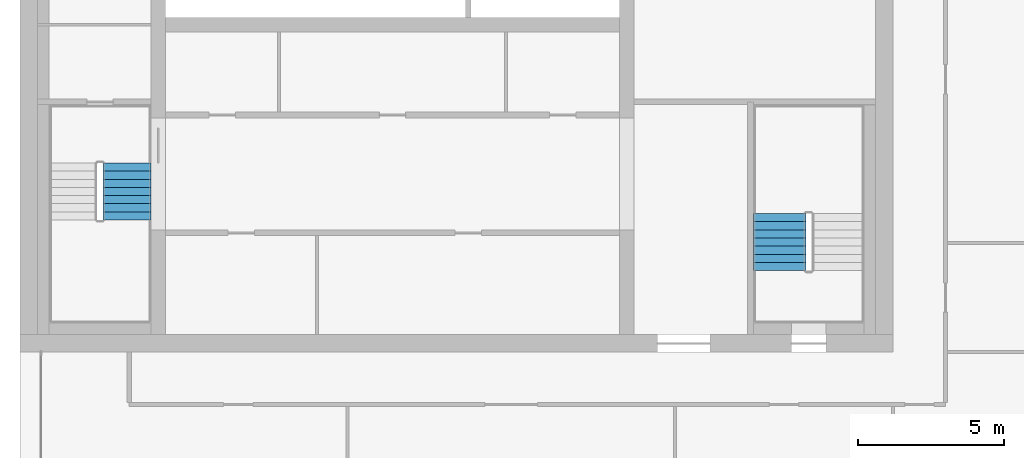
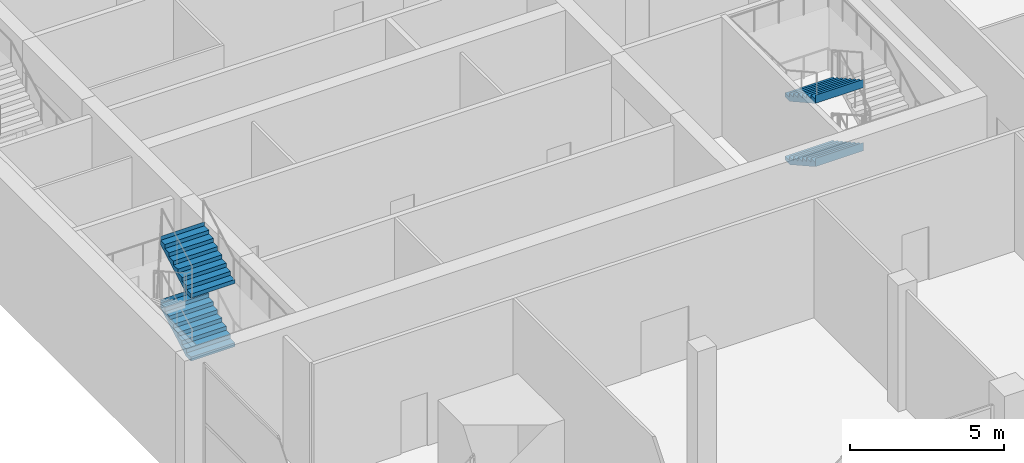
# One storey, part 11 of 15: 4 stair flights, 2 elements without a shape of their own.
"""IFC4 building model written with IfcOpenShell, lengths in metres."""

from ifc_helpers import new_model, si_unit, direction, frame, origin, place, context, subcontext, project, spatial, polyline, outline, extrude, material, type_object, element, aggregate, save


model = new_model("IFC4")

# Units and contexts
model_context = context("Model", 3, precision=1e-05, world=origin(), true_north=direction((0.0, 1.0)))
body_context = subcontext(model_context, "Body", "Model", "MODEL_VIEW")
ifc_project = project(units=[si_unit("LENGTHUNIT", "METRE"), si_unit("AREAUNIT", "SQUARE_METRE"), si_unit("VOLUMEUNIT", "CUBIC_METRE"), si_unit("PLANEANGLEUNIT", "RADIAN"), si_unit("MASSUNIT", "GRAM", prefix="KILO")], contexts=[model_context])

# Site, building, storey
site_placement = place(None, origin())
site = spatial("IfcSite", under=ifc_project, at=site_placement, CompositionType="ELEMENT")
building_placement = place(site_placement, origin())
building = spatial("IfcBuilding", under=site, at=building_placement, Name="Tamorin Gate", CompositionType="ELEMENT")
storey_placement = place(building_placement, frame((0.0, 0.0, 297.699951171875)))
storey = spatial("IfcBuildingStorey", under=building, at=storey_placement, Name="L74", CompositionType="ELEMENT", Elevation=297.699951171875)

# Stair, stair flights
ifc_material = material(Name="Concrete C40/50", Category="concrete")
stair_type = type_object("IfcStairType", Name="Exit stair", PredefinedType="HALF_TURN_STAIR", material=ifc_material)
stair_1_placement = place(storey_placement, origin())
stair_1 = element("IfcStair", 1, at=stair_1_placement, inside=storey, type_object=stair_type, Name="L74 stair ST1", PredefinedType="HALF_TURN_STAIR")
stair_flight_type = type_object("IfcStairFlightType", Name="Exit stair flight", PredefinedType="STRAIGHT", material=ifc_material)
stair_flight_1_placement = place(storey_placement, frame((33.675048828125, 64.5400390625, 1.25), z_axis=(0.0, 0.0, 1.0), x_axis=(0.0, 1.0, 0.0)))
stair_flight_1 = element("IfcStairFlight", 2, at=stair_flight_1_placement, type_object=stair_flight_type, Name="ST1 flight 2", NumberOfRisers=8, NumberOfTreads=7, PredefinedType="STRAIGHT", RiserHeight=0.15625, TreadLength=0.28, context=body_context, shape_type="SweptSolid", body=[
    extrude(outline(polyline([(-0.00048828125, 0.0), (-0.00048828125, 0.00146484375), (-0.00048828125, 0.003173828125), (-0.00048828125, 0.004638671875), (-0.00048828125, 0.006103515625), (-0.00048828125, 0.0078125), (-0.00048828125, 0.00927734375), (-0.00048828125, 0.0107421875), (-0.00048828125, 0.012451171875), (-0.00048828125, 0.013916015625), (-0.00048828125, 0.015380859375), (-0.00048828125, 0.01708984375), (-0.00048828125, 0.0185546875), (-0.00048828125, 0.02001953125), (-0.00048828125, 0.021728515625), (-0.00048828125, 0.023193359375), (-0.00048828125, 0.024658203125), (-0.00048828125, 0.0263671875), (-0.00048828125, 0.02783203125), (-0.00048828125, 0.029296875), (-0.00048828125, 0.031005859375), (-0.00048828125, 0.032470703125), (-0.00048828125, 0.033935546875), (-0.00048828125, 0.03564453125), (-0.00048828125, 0.037109375), (-0.00048828125, 0.03857421875), (-0.00048828125, 0.040283203125), (-0.00048828125, 0.041748046875), (-0.00048828125, 0.043212890625), (-0.00048828125, 0.044921875), (-0.00048828125, 0.04638671875), (-0.00048828125, 0.0478515625), (-0.00048828125, 0.049560546875), (-0.00048828125, 0.051025390625), (-0.00048828125, 0.052490234375), (-0.00048828125, 0.05419921875), (-0.00048828125, 0.0556640625), (-0.00048828125, 0.05712890625), (-0.00048828125, 0.058837890625), (-0.00048828125, 0.060302734375), (-0.00048828125, 0.061767578125), (-0.00048828125, 0.0634765625), (-0.00048828125, 0.06494140625), (-0.00048828125, 0.06640625), (-0.00048828125, 0.068115234375), (-0.00048828125, 0.069580078125), (-0.00048828125, 0.071044921875), (-0.00048828125, 0.07275390625), (-0.00048828125, 0.07421875), (-0.00048828125, 0.07568359375), (-0.00048828125, 0.077392578125), (-0.00048828125, 0.078857421875), (-0.00048828125, 0.08056640625), (-0.00048828125, 0.08203125), (-0.00048828125, 0.08349609375), (-0.00048828125, 0.085205078125), (-0.00048828125, 0.086669921875), (-0.00048828125, 0.088134765625), (-0.00048828125, 0.08984375), (-0.00048828125, 0.09130859375), (-0.00048828125, 0.0927734375), (-0.00048828125, 0.094482421875), (-0.00048828125, 0.095947265625), (-0.00048828125, 0.097412109375), (-0.00048828125, 0.09912109375), (-0.00048828125, 0.1005859375), (-0.00048828125, 0.10205078125), (-0.00048828125, 0.103759765625), (-0.00048828125, 0.105224609375), (-0.00048828125, 0.106689453125), (-0.00048828125, 0.1083984375), (-0.00048828125, 0.10986328125), (-0.00048828125, 0.111328125), (-0.00048828125, 0.113037109375), (-0.00048828125, 0.114501953125), (-0.00048828125, 0.115966796875), (-0.00048828125, 0.11767578125), (-0.00048828125, 0.119140625), (-0.00048828125, 0.12060546875), (-0.00048828125, 0.122314453125), (-0.00048828125, 0.123779296875), (-0.00048828125, 0.125244140625), (-0.00048828125, 0.126953125), (-0.00048828125, 0.12841796875), (-0.00048828125, 0.1298828125), (-0.00048828125, 0.131591796875), (-0.00048828125, 0.133056640625), (-0.00048828125, 0.134521484375), (-0.00048828125, 0.13623046875), (-0.00048828125, 0.1376953125), (-0.00048828125, 0.13916015625), (-0.00048828125, 0.140869140625), (-0.00048828125, 0.142333984375), (-0.00048828125, 0.143798828125), (-0.00048828125, 0.1455078125), (-0.00048828125, 0.14697265625), (-0.00048828125, 0.1484375), (-0.00048828125, 0.150146484375), (-0.00048828125, 0.151611328125), (-0.00048828125, 0.153076171875), (-0.00048828125, 0.15478515625), (-0.00048828125, 0.15625), (0.280029296875, 0.15625), (0.280029296875, 0.3125), (0.56005859375, 0.3125), (0.56005859375, 0.46875), (0.840087890625, 0.46875), (0.840087890625, 0.625), (1.1201171875, 0.625), (1.1201171875, 0.78125), (1.39990234375, 0.78125), (1.39990234375, 0.9375), (1.679931640625, 0.9375), (1.679931640625, 1.09375), (1.9599609375, 1.09375), (1.9599609375, 1.25), (1.96044921875, 1.25), (1.96044921875, 1.246826171875), (1.96044921875, 1.243408203125), (1.96044921875, 1.240234375), (1.96044921875, 1.237060546875), (1.96044921875, 1.23388671875), (1.96044921875, 1.23046875), (1.96044921875, 1.227294921875), (1.96044921875, 1.22412109375), (1.96044921875, 1.220703125), (1.96044921875, 1.217529296875), (1.96044921875, 1.21435546875), (1.96044921875, 1.2109375), (1.96044921875, 1.207763671875), (1.96044921875, 1.20458984375), (1.96044921875, 1.201416015625), (1.96044921875, 1.197998046875), (1.96044921875, 1.19482421875), (1.96044921875, 1.191650390625), (1.96044921875, 1.188232421875), (1.96044921875, 1.18505859375), (1.96044921875, 1.181884765625), (1.96044921875, 1.178466796875), (1.96044921875, 1.17529296875), (1.96044921875, 1.172119140625), (1.96044921875, 1.1689453125), (1.96044921875, 1.16552734375), (1.96044921875, 1.162353515625), (1.96044921875, 1.1591796875), (1.96044921875, 1.15576171875), (1.96044921875, 1.152587890625), (1.96044921875, 1.1494140625), (1.96044921875, 1.14599609375), (1.96044921875, 1.142822265625), (1.96044921875, 1.1396484375), (1.96044921875, 1.136474609375), (1.96044921875, 1.133056640625), (1.96044921875, 1.1298828125), (1.96044921875, 1.126708984375), (1.96044921875, 1.123291015625), (1.96044921875, 1.1201171875), (1.96044921875, 1.116943359375), (1.96044921875, 1.113525390625), (1.96044921875, 1.1103515625), (1.96044921875, 1.107177734375), (1.96044921875, 1.10400390625), (1.96044921875, 1.1005859375), (1.96044921875, 1.097412109375), (1.96044921875, 1.09423828125), (1.96044921875, 1.0908203125), (1.96044921875, 1.087646484375), (1.96044921875, 1.08447265625), (1.96044921875, 1.0810546875), (1.96044921875, 1.077880859375), (1.96044921875, 1.07470703125), (1.96044921875, 1.071533203125), (1.96044921875, 1.068115234375), (1.96044921875, 1.06494140625), (1.96044921875, 1.061767578125), (1.96044921875, 1.058349609375), (1.96044921875, 1.05517578125), (1.96044921875, 1.052001953125), (1.96044921875, 1.048828125), (1.96044921875, 1.04541015625), (1.96044921875, 1.042236328125), (1.96044921875, 1.0390625), (1.96044921875, 1.03564453125), (1.96044921875, 1.032470703125), (1.96044921875, 1.029296875), (1.96044921875, 1.02587890625), (1.96044921875, 1.022705078125), (1.96044921875, 1.01953125), (1.96044921875, 1.016357421875), (1.96044921875, 1.012939453125), (1.96044921875, 1.009765625), (1.96044921875, 1.006591796875), (1.96044921875, 1.003173828125), (1.96044921875, 1.0), (1.96044921875, 0.996826171875), (1.96044921875, 0.993408203125), (1.96044921875, 0.990234375), (1.96044921875, 0.987060546875), (1.96044921875, 0.98388671875), (1.96044921875, 0.98046875), (1.96044921875, 0.977294921875), (1.96044921875, 0.97412109375), (1.96044921875, 0.970703125), (1.96044921875, 0.967529296875), (1.96044921875, 0.96435546875), (1.96044921875, 0.9609375), (1.96044921875, 0.957763671875), (1.96044921875, 0.95458984375), (1.96044921875, 0.951416015625), (1.96044921875, 0.947998046875), (1.96044921875, 0.94482421875), (1.96044921875, 0.941650390625), (1.96044921875, 0.938232421875), (1.96044921875, 0.93505859375), (1.96044921875, 0.931884765625), (1.96044921875, 0.928466796875), (1.96044921875, 0.92529296875), (1.96044921875, 0.922119140625), (1.9599609375, 0.922119140625), (0.3076171875, 0.0), (-0.00048828125, 0.0)])), frame((0.0, 0.824951171875, 0.0), z_axis=(0.0, -1.0, 0.0), x_axis=(1.0, 0.0, 0.0)), (0.0, 0.0, 1.0), 1.64990234375),
])
stair_flight_2_placement = place(storey_placement, frame((33.675048828125, 64.5400390625, 3.75), z_axis=(0.0, 0.0, 1.0), x_axis=(0.0, 1.0, 0.0)))
stair_flight_2 = element("IfcStairFlight", 3, at=stair_flight_2_placement, type_object=stair_flight_type, Name="ST1 flight 4", NumberOfRisers=8, NumberOfTreads=7, PredefinedType="STRAIGHT", RiserHeight=0.15625, TreadLength=0.28, context=body_context, shape_type="SweptSolid", body=[
    extrude(outline(polyline([(-0.00048828125, 0.0), (-0.00048828125, 0.00146484375), (-0.00048828125, 0.003173828125), (-0.00048828125, 0.004638671875), (-0.00048828125, 0.006103515625), (-0.00048828125, 0.0078125), (-0.00048828125, 0.00927734375), (-0.00048828125, 0.0107421875), (-0.00048828125, 0.012451171875), (-0.00048828125, 0.013916015625), (-0.00048828125, 0.015380859375), (-0.00048828125, 0.01708984375), (-0.00048828125, 0.0185546875), (-0.00048828125, 0.02001953125), (-0.00048828125, 0.021728515625), (-0.00048828125, 0.023193359375), (-0.00048828125, 0.024658203125), (-0.00048828125, 0.0263671875), (-0.00048828125, 0.02783203125), (-0.00048828125, 0.029296875), (-0.00048828125, 0.031005859375), (-0.00048828125, 0.032470703125), (-0.00048828125, 0.033935546875), (-0.00048828125, 0.03564453125), (-0.00048828125, 0.037109375), (-0.00048828125, 0.03857421875), (-0.00048828125, 0.040283203125), (-0.00048828125, 0.041748046875), (-0.00048828125, 0.043212890625), (-0.00048828125, 0.044921875), (-0.00048828125, 0.04638671875), (-0.00048828125, 0.0478515625), (-0.00048828125, 0.049560546875), (-0.00048828125, 0.051025390625), (-0.00048828125, 0.052490234375), (-0.00048828125, 0.05419921875), (-0.00048828125, 0.0556640625), (-0.00048828125, 0.05712890625), (-0.00048828125, 0.058837890625), (-0.00048828125, 0.060302734375), (-0.00048828125, 0.061767578125), (-0.00048828125, 0.0634765625), (-0.00048828125, 0.06494140625), (-0.00048828125, 0.06640625), (-0.00048828125, 0.068115234375), (-0.00048828125, 0.069580078125), (-0.00048828125, 0.071044921875), (-0.00048828125, 0.07275390625), (-0.00048828125, 0.07421875), (-0.00048828125, 0.07568359375), (-0.00048828125, 0.077392578125), (-0.00048828125, 0.078857421875), (-0.00048828125, 0.08056640625), (-0.00048828125, 0.08203125), (-0.00048828125, 0.08349609375), (-0.00048828125, 0.085205078125), (-0.00048828125, 0.086669921875), (-0.00048828125, 0.088134765625), (-0.00048828125, 0.08984375), (-0.00048828125, 0.09130859375), (-0.00048828125, 0.0927734375), (-0.00048828125, 0.094482421875), (-0.00048828125, 0.095947265625), (-0.00048828125, 0.097412109375), (-0.00048828125, 0.09912109375), (-0.00048828125, 0.1005859375), (-0.00048828125, 0.10205078125), (-0.00048828125, 0.103759765625), (-0.00048828125, 0.105224609375), (-0.00048828125, 0.106689453125), (-0.00048828125, 0.1083984375), (-0.00048828125, 0.10986328125), (-0.00048828125, 0.111328125), (-0.00048828125, 0.113037109375), (-0.00048828125, 0.114501953125), (-0.00048828125, 0.115966796875), (-0.00048828125, 0.11767578125), (-0.00048828125, 0.119140625), (-0.00048828125, 0.12060546875), (-0.00048828125, 0.122314453125), (-0.00048828125, 0.123779296875), (-0.00048828125, 0.125244140625), (-0.00048828125, 0.126953125), (-0.00048828125, 0.12841796875), (-0.00048828125, 0.1298828125), (-0.00048828125, 0.131591796875), (-0.00048828125, 0.133056640625), (-0.00048828125, 0.134521484375), (-0.00048828125, 0.13623046875), (-0.00048828125, 0.1376953125), (-0.00048828125, 0.13916015625), (-0.00048828125, 0.140869140625), (-0.00048828125, 0.142333984375), (-0.00048828125, 0.143798828125), (-0.00048828125, 0.1455078125), (-0.00048828125, 0.14697265625), (-0.00048828125, 0.1484375), (-0.00048828125, 0.150146484375), (-0.00048828125, 0.151611328125), (-0.00048828125, 0.153076171875), (-0.00048828125, 0.15478515625), (-0.00048828125, 0.15625), (0.280029296875, 0.15625), (0.280029296875, 0.3125), (0.56005859375, 0.3125), (0.56005859375, 0.46875), (0.840087890625, 0.46875), (0.840087890625, 0.625), (1.1201171875, 0.625), (1.1201171875, 0.78125), (1.39990234375, 0.78125), (1.39990234375, 0.9375), (1.679931640625, 0.9375), (1.679931640625, 1.09375), (1.9599609375, 1.09375), (1.9599609375, 1.25), (1.96044921875, 1.25), (1.96044921875, 1.246826171875), (1.96044921875, 1.243408203125), (1.96044921875, 1.240234375), (1.96044921875, 1.237060546875), (1.96044921875, 1.23388671875), (1.96044921875, 1.23046875), (1.96044921875, 1.227294921875), (1.96044921875, 1.22412109375), (1.96044921875, 1.220703125), (1.96044921875, 1.217529296875), (1.96044921875, 1.21435546875), (1.96044921875, 1.2109375), (1.96044921875, 1.207763671875), (1.96044921875, 1.20458984375), (1.96044921875, 1.201416015625), (1.96044921875, 1.197998046875), (1.96044921875, 1.19482421875), (1.96044921875, 1.191650390625), (1.96044921875, 1.188232421875), (1.96044921875, 1.18505859375), (1.96044921875, 1.181884765625), (1.96044921875, 1.178466796875), (1.96044921875, 1.17529296875), (1.96044921875, 1.172119140625), (1.96044921875, 1.1689453125), (1.96044921875, 1.16552734375), (1.96044921875, 1.162353515625), (1.96044921875, 1.1591796875), (1.96044921875, 1.15576171875), (1.96044921875, 1.152587890625), (1.96044921875, 1.1494140625), (1.96044921875, 1.14599609375), (1.96044921875, 1.142822265625), (1.96044921875, 1.1396484375), (1.96044921875, 1.136474609375), (1.96044921875, 1.133056640625), (1.96044921875, 1.1298828125), (1.96044921875, 1.126708984375), (1.96044921875, 1.123291015625), (1.96044921875, 1.1201171875), (1.96044921875, 1.116943359375), (1.96044921875, 1.113525390625), (1.96044921875, 1.1103515625), (1.96044921875, 1.107177734375), (1.96044921875, 1.10400390625), (1.96044921875, 1.1005859375), (1.96044921875, 1.097412109375), (1.96044921875, 1.09423828125), (1.96044921875, 1.0908203125), (1.96044921875, 1.087646484375), (1.96044921875, 1.08447265625), (1.96044921875, 1.0810546875), (1.96044921875, 1.077880859375), (1.96044921875, 1.07470703125), (1.96044921875, 1.071533203125), (1.96044921875, 1.068115234375), (1.96044921875, 1.06494140625), (1.96044921875, 1.061767578125), (1.96044921875, 1.058349609375), (1.96044921875, 1.05517578125), (1.96044921875, 1.052001953125), (1.96044921875, 1.048828125), (1.96044921875, 1.04541015625), (1.96044921875, 1.042236328125), (1.96044921875, 1.0390625), (1.96044921875, 1.03564453125), (1.96044921875, 1.032470703125), (1.96044921875, 1.029296875), (1.96044921875, 1.02587890625), (1.96044921875, 1.022705078125), (1.96044921875, 1.01953125), (1.96044921875, 1.016357421875), (1.96044921875, 1.012939453125), (1.96044921875, 1.009765625), (1.96044921875, 1.006591796875), (1.96044921875, 1.003173828125), (1.96044921875, 1.0), (1.96044921875, 0.996826171875), (1.96044921875, 0.993408203125), (1.96044921875, 0.990234375), (1.96044921875, 0.987060546875), (1.96044921875, 0.98388671875), (1.96044921875, 0.98046875), (1.96044921875, 0.977294921875), (1.96044921875, 0.97412109375), (1.96044921875, 0.970703125), (1.96044921875, 0.967529296875), (1.96044921875, 0.96435546875), (1.96044921875, 0.9609375), (1.96044921875, 0.957763671875), (1.96044921875, 0.95458984375), (1.96044921875, 0.951416015625), (1.96044921875, 0.947998046875), (1.96044921875, 0.94482421875), (1.96044921875, 0.941650390625), (1.96044921875, 0.938232421875), (1.96044921875, 0.93505859375), (1.96044921875, 0.931884765625), (1.96044921875, 0.928466796875), (1.96044921875, 0.92529296875), (1.96044921875, 0.922119140625), (1.9599609375, 0.922119140625), (0.3076171875, 0.0), (-0.00048828125, 0.0)])), frame((0.0, 0.824951171875, 0.0), z_axis=(0.0, -1.0, 0.0), x_axis=(1.0, 0.0, 0.0)), (0.0, 0.0, 1.0), 1.64990234375),
])
aggregate(stair_1, [stair_flight_1, stair_flight_2])

stair_2_placement = place(storey_placement, origin())
stair_2 = element("IfcStair", 4, at=stair_2_placement, inside=storey, type_object=stair_type, Name="L74 stair ST3", PredefinedType="HALF_TURN_STAIR")
stair_flight_3_placement = place(storey_placement, frame((56.10009765625, 64.760009765625, 1.25), z_axis=(0.0, 0.0, 1.0), x_axis=(0.0, -1.0, 0.0)))
stair_flight_3 = element("IfcStairFlight", 5, at=stair_flight_3_placement, type_object=stair_flight_type, Name="ST3 flight 2", NumberOfRisers=8, NumberOfTreads=7, PredefinedType="STRAIGHT", RiserHeight=0.15625, TreadLength=0.28, context=body_context, shape_type="SweptSolid", body=[
    extrude(outline(polyline([(-0.00048828125, 0.0), (-0.00048828125, 0.00146484375), (-0.00048828125, 0.003173828125), (-0.00048828125, 0.004638671875), (-0.00048828125, 0.006103515625), (-0.00048828125, 0.0078125), (-0.00048828125, 0.00927734375), (-0.00048828125, 0.0107421875), (-0.00048828125, 0.012451171875), (-0.00048828125, 0.013916015625), (-0.00048828125, 0.015380859375), (-0.00048828125, 0.01708984375), (-0.00048828125, 0.0185546875), (-0.00048828125, 0.02001953125), (-0.00048828125, 0.021728515625), (-0.00048828125, 0.023193359375), (-0.00048828125, 0.024658203125), (-0.00048828125, 0.0263671875), (-0.00048828125, 0.02783203125), (-0.00048828125, 0.029296875), (-0.00048828125, 0.031005859375), (-0.00048828125, 0.032470703125), (-0.00048828125, 0.033935546875), (-0.00048828125, 0.03564453125), (-0.00048828125, 0.037109375), (-0.00048828125, 0.03857421875), (-0.00048828125, 0.040283203125), (-0.00048828125, 0.041748046875), (-0.00048828125, 0.043212890625), (-0.00048828125, 0.044921875), (-0.00048828125, 0.04638671875), (-0.00048828125, 0.0478515625), (-0.00048828125, 0.049560546875), (-0.00048828125, 0.051025390625), (-0.00048828125, 0.052490234375), (-0.00048828125, 0.05419921875), (-0.00048828125, 0.0556640625), (-0.00048828125, 0.05712890625), (-0.00048828125, 0.058837890625), (-0.00048828125, 0.060302734375), (-0.00048828125, 0.061767578125), (-0.00048828125, 0.0634765625), (-0.00048828125, 0.06494140625), (-0.00048828125, 0.06640625), (-0.00048828125, 0.068115234375), (-0.00048828125, 0.069580078125), (-0.00048828125, 0.071044921875), (-0.00048828125, 0.07275390625), (-0.00048828125, 0.07421875), (-0.00048828125, 0.07568359375), (-0.00048828125, 0.077392578125), (-0.00048828125, 0.078857421875), (-0.00048828125, 0.08056640625), (-0.00048828125, 0.08203125), (-0.00048828125, 0.08349609375), (-0.00048828125, 0.085205078125), (-0.00048828125, 0.086669921875), (-0.00048828125, 0.088134765625), (-0.00048828125, 0.08984375), (-0.00048828125, 0.09130859375), (-0.00048828125, 0.0927734375), (-0.00048828125, 0.094482421875), (-0.00048828125, 0.095947265625), (-0.00048828125, 0.097412109375), (-0.00048828125, 0.09912109375), (-0.00048828125, 0.1005859375), (-0.00048828125, 0.10205078125), (-0.00048828125, 0.103759765625), (-0.00048828125, 0.105224609375), (-0.00048828125, 0.106689453125), (-0.00048828125, 0.1083984375), (-0.00048828125, 0.10986328125), (-0.00048828125, 0.111328125), (-0.00048828125, 0.113037109375), (-0.00048828125, 0.114501953125), (-0.00048828125, 0.115966796875), (-0.00048828125, 0.11767578125), (-0.00048828125, 0.119140625), (-0.00048828125, 0.12060546875), (-0.00048828125, 0.122314453125), (-0.00048828125, 0.123779296875), (-0.00048828125, 0.125244140625), (-0.00048828125, 0.126953125), (-0.00048828125, 0.12841796875), (-0.00048828125, 0.1298828125), (-0.00048828125, 0.131591796875), (-0.00048828125, 0.133056640625), (-0.00048828125, 0.134521484375), (-0.00048828125, 0.13623046875), (-0.00048828125, 0.1376953125), (-0.00048828125, 0.13916015625), (-0.00048828125, 0.140869140625), (-0.00048828125, 0.142333984375), (-0.00048828125, 0.143798828125), (-0.00048828125, 0.1455078125), (-0.00048828125, 0.14697265625), (-0.00048828125, 0.1484375), (-0.00048828125, 0.150146484375), (-0.00048828125, 0.151611328125), (-0.00048828125, 0.153076171875), (-0.00048828125, 0.15478515625), (-0.00048828125, 0.15625), (0.280029296875, 0.15625), (0.280029296875, 0.3125), (0.56005859375, 0.3125), (0.56005859375, 0.46875), (0.840087890625, 0.46875), (0.840087890625, 0.625), (1.1201171875, 0.625), (1.1201171875, 0.78125), (1.39990234375, 0.78125), (1.39990234375, 0.9375), (1.679931640625, 0.9375), (1.679931640625, 1.09375), (1.9599609375, 1.09375), (1.9599609375, 1.25), (1.96044921875, 1.25), (1.96044921875, 1.246826171875), (1.96044921875, 1.243408203125), (1.96044921875, 1.240234375), (1.96044921875, 1.237060546875), (1.96044921875, 1.23388671875), (1.96044921875, 1.23046875), (1.96044921875, 1.227294921875), (1.96044921875, 1.22412109375), (1.96044921875, 1.220703125), (1.96044921875, 1.217529296875), (1.96044921875, 1.21435546875), (1.96044921875, 1.2109375), (1.96044921875, 1.207763671875), (1.96044921875, 1.20458984375), (1.96044921875, 1.201416015625), (1.96044921875, 1.197998046875), (1.96044921875, 1.19482421875), (1.96044921875, 1.191650390625), (1.96044921875, 1.188232421875), (1.96044921875, 1.18505859375), (1.96044921875, 1.181884765625), (1.96044921875, 1.178466796875), (1.96044921875, 1.17529296875), (1.96044921875, 1.172119140625), (1.96044921875, 1.1689453125), (1.96044921875, 1.16552734375), (1.96044921875, 1.162353515625), (1.96044921875, 1.1591796875), (1.96044921875, 1.15576171875), (1.96044921875, 1.152587890625), (1.96044921875, 1.1494140625), (1.96044921875, 1.14599609375), (1.96044921875, 1.142822265625), (1.96044921875, 1.1396484375), (1.96044921875, 1.136474609375), (1.96044921875, 1.133056640625), (1.96044921875, 1.1298828125), (1.96044921875, 1.126708984375), (1.96044921875, 1.123291015625), (1.96044921875, 1.1201171875), (1.96044921875, 1.116943359375), (1.96044921875, 1.113525390625), (1.96044921875, 1.1103515625), (1.96044921875, 1.107177734375), (1.96044921875, 1.10400390625), (1.96044921875, 1.1005859375), (1.96044921875, 1.097412109375), (1.96044921875, 1.09423828125), (1.96044921875, 1.0908203125), (1.96044921875, 1.087646484375), (1.96044921875, 1.08447265625), (1.96044921875, 1.0810546875), (1.96044921875, 1.077880859375), (1.96044921875, 1.07470703125), (1.96044921875, 1.071533203125), (1.96044921875, 1.068115234375), (1.96044921875, 1.06494140625), (1.96044921875, 1.061767578125), (1.96044921875, 1.058349609375), (1.96044921875, 1.05517578125), (1.96044921875, 1.052001953125), (1.96044921875, 1.048828125), (1.96044921875, 1.04541015625), (1.96044921875, 1.042236328125), (1.96044921875, 1.0390625), (1.96044921875, 1.03564453125), (1.96044921875, 1.032470703125), (1.96044921875, 1.029296875), (1.96044921875, 1.02587890625), (1.96044921875, 1.022705078125), (1.96044921875, 1.01953125), (1.96044921875, 1.016357421875), (1.96044921875, 1.012939453125), (1.96044921875, 1.009765625), (1.96044921875, 1.006591796875), (1.96044921875, 1.003173828125), (1.96044921875, 1.0), (1.96044921875, 0.996826171875), (1.96044921875, 0.993408203125), (1.96044921875, 0.990234375), (1.96044921875, 0.987060546875), (1.96044921875, 0.98388671875), (1.96044921875, 0.98046875), (1.96044921875, 0.977294921875), (1.96044921875, 0.97412109375), (1.96044921875, 0.970703125), (1.96044921875, 0.967529296875), (1.96044921875, 0.96435546875), (1.96044921875, 0.9609375), (1.96044921875, 0.957763671875), (1.96044921875, 0.95458984375), (1.96044921875, 0.951416015625), (1.96044921875, 0.947998046875), (1.96044921875, 0.94482421875), (1.96044921875, 0.941650390625), (1.96044921875, 0.938232421875), (1.96044921875, 0.93505859375), (1.96044921875, 0.931884765625), (1.96044921875, 0.928466796875), (1.96044921875, 0.92529296875), (1.96044921875, 0.922119140625), (1.9599609375, 0.922119140625), (0.3076171875, 0.0), (-0.00048828125, 0.0)])), frame((0.0, 0.89990234375, 0.0), z_axis=(0.0, -1.0, 0.0), x_axis=(1.0, 0.0, 0.0)), (0.0, 0.0, 1.0), 1.800048828125),
])
stair_flight_4_placement = place(storey_placement, frame((56.10009765625, 64.760009765625, 3.75), z_axis=(0.0, 0.0, 1.0), x_axis=(0.0, -1.0, 0.0)))
stair_flight_4 = element("IfcStairFlight", 6, at=stair_flight_4_placement, type_object=stair_flight_type, Name="ST3 flight 4", NumberOfRisers=8, NumberOfTreads=7, PredefinedType="STRAIGHT", RiserHeight=0.15625, TreadLength=0.28, context=body_context, shape_type="SweptSolid", body=[
    extrude(outline(polyline([(-0.00048828125, 0.0), (-0.00048828125, 0.00146484375), (-0.00048828125, 0.003173828125), (-0.00048828125, 0.004638671875), (-0.00048828125, 0.006103515625), (-0.00048828125, 0.0078125), (-0.00048828125, 0.00927734375), (-0.00048828125, 0.0107421875), (-0.00048828125, 0.012451171875), (-0.00048828125, 0.013916015625), (-0.00048828125, 0.015380859375), (-0.00048828125, 0.01708984375), (-0.00048828125, 0.0185546875), (-0.00048828125, 0.02001953125), (-0.00048828125, 0.021728515625), (-0.00048828125, 0.023193359375), (-0.00048828125, 0.024658203125), (-0.00048828125, 0.0263671875), (-0.00048828125, 0.02783203125), (-0.00048828125, 0.029296875), (-0.00048828125, 0.031005859375), (-0.00048828125, 0.032470703125), (-0.00048828125, 0.033935546875), (-0.00048828125, 0.03564453125), (-0.00048828125, 0.037109375), (-0.00048828125, 0.03857421875), (-0.00048828125, 0.040283203125), (-0.00048828125, 0.041748046875), (-0.00048828125, 0.043212890625), (-0.00048828125, 0.044921875), (-0.00048828125, 0.04638671875), (-0.00048828125, 0.0478515625), (-0.00048828125, 0.049560546875), (-0.00048828125, 0.051025390625), (-0.00048828125, 0.052490234375), (-0.00048828125, 0.05419921875), (-0.00048828125, 0.0556640625), (-0.00048828125, 0.05712890625), (-0.00048828125, 0.058837890625), (-0.00048828125, 0.060302734375), (-0.00048828125, 0.061767578125), (-0.00048828125, 0.0634765625), (-0.00048828125, 0.06494140625), (-0.00048828125, 0.06640625), (-0.00048828125, 0.068115234375), (-0.00048828125, 0.069580078125), (-0.00048828125, 0.071044921875), (-0.00048828125, 0.07275390625), (-0.00048828125, 0.07421875), (-0.00048828125, 0.07568359375), (-0.00048828125, 0.077392578125), (-0.00048828125, 0.078857421875), (-0.00048828125, 0.08056640625), (-0.00048828125, 0.08203125), (-0.00048828125, 0.08349609375), (-0.00048828125, 0.085205078125), (-0.00048828125, 0.086669921875), (-0.00048828125, 0.088134765625), (-0.00048828125, 0.08984375), (-0.00048828125, 0.09130859375), (-0.00048828125, 0.0927734375), (-0.00048828125, 0.094482421875), (-0.00048828125, 0.095947265625), (-0.00048828125, 0.097412109375), (-0.00048828125, 0.09912109375), (-0.00048828125, 0.1005859375), (-0.00048828125, 0.10205078125), (-0.00048828125, 0.103759765625), (-0.00048828125, 0.105224609375), (-0.00048828125, 0.106689453125), (-0.00048828125, 0.1083984375), (-0.00048828125, 0.10986328125), (-0.00048828125, 0.111328125), (-0.00048828125, 0.113037109375), (-0.00048828125, 0.114501953125), (-0.00048828125, 0.115966796875), (-0.00048828125, 0.11767578125), (-0.00048828125, 0.119140625), (-0.00048828125, 0.12060546875), (-0.00048828125, 0.122314453125), (-0.00048828125, 0.123779296875), (-0.00048828125, 0.125244140625), (-0.00048828125, 0.126953125), (-0.00048828125, 0.12841796875), (-0.00048828125, 0.1298828125), (-0.00048828125, 0.131591796875), (-0.00048828125, 0.133056640625), (-0.00048828125, 0.134521484375), (-0.00048828125, 0.13623046875), (-0.00048828125, 0.1376953125), (-0.00048828125, 0.13916015625), (-0.00048828125, 0.140869140625), (-0.00048828125, 0.142333984375), (-0.00048828125, 0.143798828125), (-0.00048828125, 0.1455078125), (-0.00048828125, 0.14697265625), (-0.00048828125, 0.1484375), (-0.00048828125, 0.150146484375), (-0.00048828125, 0.151611328125), (-0.00048828125, 0.153076171875), (-0.00048828125, 0.15478515625), (-0.00048828125, 0.15625), (0.280029296875, 0.15625), (0.280029296875, 0.3125), (0.56005859375, 0.3125), (0.56005859375, 0.46875), (0.840087890625, 0.46875), (0.840087890625, 0.625), (1.1201171875, 0.625), (1.1201171875, 0.78125), (1.39990234375, 0.78125), (1.39990234375, 0.9375), (1.679931640625, 0.9375), (1.679931640625, 1.09375), (1.9599609375, 1.09375), (1.9599609375, 1.25), (1.96044921875, 1.25), (1.96044921875, 1.246826171875), (1.96044921875, 1.243408203125), (1.96044921875, 1.240234375), (1.96044921875, 1.237060546875), (1.96044921875, 1.23388671875), (1.96044921875, 1.23046875), (1.96044921875, 1.227294921875), (1.96044921875, 1.22412109375), (1.96044921875, 1.220703125), (1.96044921875, 1.217529296875), (1.96044921875, 1.21435546875), (1.96044921875, 1.2109375), (1.96044921875, 1.207763671875), (1.96044921875, 1.20458984375), (1.96044921875, 1.201416015625), (1.96044921875, 1.197998046875), (1.96044921875, 1.19482421875), (1.96044921875, 1.191650390625), (1.96044921875, 1.188232421875), (1.96044921875, 1.18505859375), (1.96044921875, 1.181884765625), (1.96044921875, 1.178466796875), (1.96044921875, 1.17529296875), (1.96044921875, 1.172119140625), (1.96044921875, 1.1689453125), (1.96044921875, 1.16552734375), (1.96044921875, 1.162353515625), (1.96044921875, 1.1591796875), (1.96044921875, 1.15576171875), (1.96044921875, 1.152587890625), (1.96044921875, 1.1494140625), (1.96044921875, 1.14599609375), (1.96044921875, 1.142822265625), (1.96044921875, 1.1396484375), (1.96044921875, 1.136474609375), (1.96044921875, 1.133056640625), (1.96044921875, 1.1298828125), (1.96044921875, 1.126708984375), (1.96044921875, 1.123291015625), (1.96044921875, 1.1201171875), (1.96044921875, 1.116943359375), (1.96044921875, 1.113525390625), (1.96044921875, 1.1103515625), (1.96044921875, 1.107177734375), (1.96044921875, 1.10400390625), (1.96044921875, 1.1005859375), (1.96044921875, 1.097412109375), (1.96044921875, 1.09423828125), (1.96044921875, 1.0908203125), (1.96044921875, 1.087646484375), (1.96044921875, 1.08447265625), (1.96044921875, 1.0810546875), (1.96044921875, 1.077880859375), (1.96044921875, 1.07470703125), (1.96044921875, 1.071533203125), (1.96044921875, 1.068115234375), (1.96044921875, 1.06494140625), (1.96044921875, 1.061767578125), (1.96044921875, 1.058349609375), (1.96044921875, 1.05517578125), (1.96044921875, 1.052001953125), (1.96044921875, 1.048828125), (1.96044921875, 1.04541015625), (1.96044921875, 1.042236328125), (1.96044921875, 1.0390625), (1.96044921875, 1.03564453125), (1.96044921875, 1.032470703125), (1.96044921875, 1.029296875), (1.96044921875, 1.02587890625), (1.96044921875, 1.022705078125), (1.96044921875, 1.01953125), (1.96044921875, 1.016357421875), (1.96044921875, 1.012939453125), (1.96044921875, 1.009765625), (1.96044921875, 1.006591796875), (1.96044921875, 1.003173828125), (1.96044921875, 1.0), (1.96044921875, 0.996826171875), (1.96044921875, 0.993408203125), (1.96044921875, 0.990234375), (1.96044921875, 0.987060546875), (1.96044921875, 0.98388671875), (1.96044921875, 0.98046875), (1.96044921875, 0.977294921875), (1.96044921875, 0.97412109375), (1.96044921875, 0.970703125), (1.96044921875, 0.967529296875), (1.96044921875, 0.96435546875), (1.96044921875, 0.9609375), (1.96044921875, 0.957763671875), (1.96044921875, 0.95458984375), (1.96044921875, 0.951416015625), (1.96044921875, 0.947998046875), (1.96044921875, 0.94482421875), (1.96044921875, 0.941650390625), (1.96044921875, 0.938232421875), (1.96044921875, 0.93505859375), (1.96044921875, 0.931884765625), (1.96044921875, 0.928466796875), (1.96044921875, 0.92529296875), (1.96044921875, 0.922119140625), (1.9599609375, 0.922119140625), (0.3076171875, 0.0), (-0.00048828125, 0.0)])), frame((0.0, 0.89990234375, 0.0), z_axis=(0.0, -1.0, 0.0), x_axis=(1.0, 0.0, 0.0)), (0.0, 0.0, 1.0), 1.800048828125),
])
aggregate(stair_2, [stair_flight_3, stair_flight_4])

save(model, "model.ifc")
